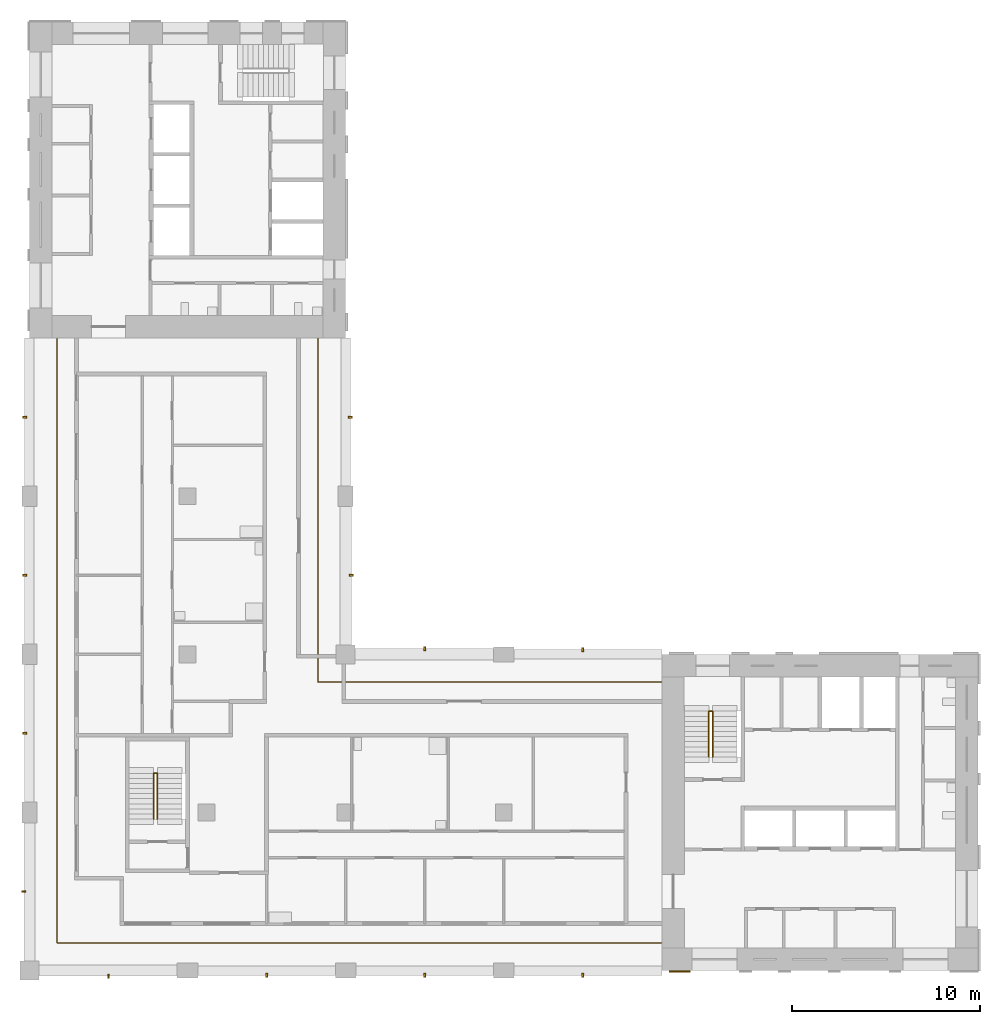
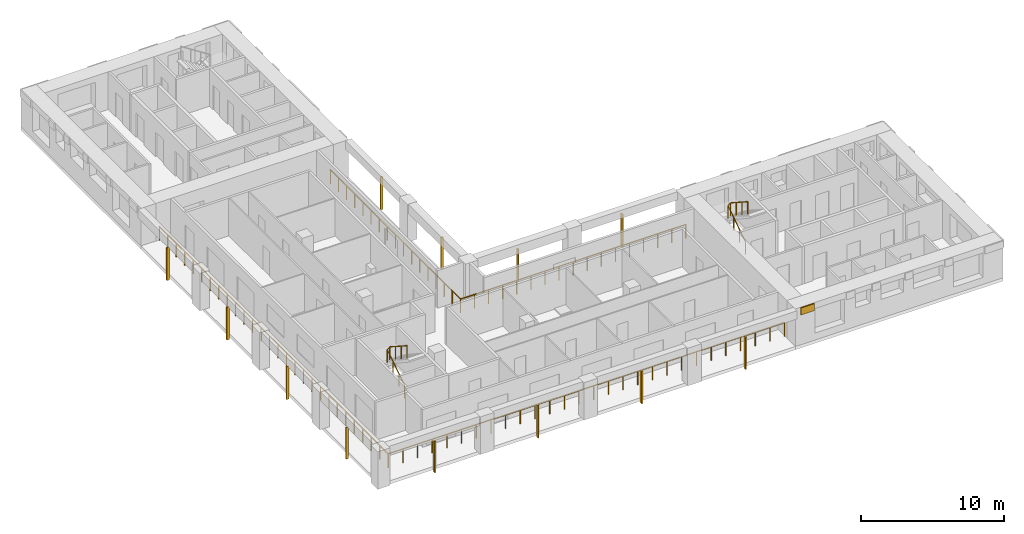
# One storey, part 7 of 9: 13 shading devices, 4 railings.
"""IFC4 building model written with IfcOpenShell, lengths in metres."""

from ifc_helpers import new_model, si_unit, direction, frame, origin, origin_2d, place, context, subcontext, project, spatial, rectangle, circle, extrude, material, layer, layer_set, material_profile, profile_set, type_object, element, save


model = new_model("IFC4")

# Units and contexts
model_context = context("Model", 3, precision=1e-05, world=origin(), true_north=direction((0.0, 1.0)))
body_context = subcontext(model_context, "Body", "Model", "MODEL_VIEW")
ifc_project = project(units=[si_unit("LENGTHUNIT", "METRE"), si_unit("AREAUNIT", "SQUARE_METRE"), si_unit("VOLUMEUNIT", "CUBIC_METRE"), si_unit("PLANEANGLEUNIT", "RADIAN"), si_unit("MASSUNIT", "GRAM", prefix="KILO")], contexts=[model_context])

# Site, building, storey
site_placement = place(None, origin())
site = spatial("IfcSite", under=ifc_project, at=site_placement, CompositionType="ELEMENT")
building_placement = place(site_placement, origin())
building = spatial("IfcBuilding", under=site, at=building_placement, Name="Vermilion Gate Residences", CompositionType="ELEMENT")
storey_placement = place(building_placement, frame((0.0, 0.0, 231.699951171875)))
storey = spatial("IfcBuildingStorey", under=building, at=storey_placement, Name="L60", CompositionType="ELEMENT", Elevation=231.699951171875)

# Railings
ifc_material_1 = material(Name="Stainless steel and toughened glass", Category="steel")
railing_type_1 = type_object("IfcRailingType", Name="LOGGIA GUARD STEEL AND GLASS 1200", PredefinedType="GUARDRAIL", material=ifc_material_1)
railing_1_placement = place(storey_placement, frame((41.97802734375, 23.72509765625, 0.0)))
element("IfcRailing", 1, at=railing_1_placement, inside=storey, type_object=railing_type_1, Name="Loggia guard", PredefinedType="GUARDRAIL", context=body_context, shape_type="SweptSolid", body=[
    extrude(circle(Radius=0.030029296875, at=origin_2d()), frame((0.0, 0.0, 1.169921875), z_axis=(-1.0, 0.0, 0.0), x_axis=(0.0, -1.0, 0.0)), (0.0, 0.0, 1.0), 18.2529296875),
    extrude(circle(Radius=0.030029296875, at=origin_2d()), frame((-18.2529296875, 0.0, 1.169921875), z_axis=(0.0, 1.0, 0.0), x_axis=(-1.0, 0.0, 0.0)), (0.0, 0.0, 1.0), 18.2529296875),
    extrude(circle(Radius=0.02490234375, at=origin_2d()), origin(), (0.0, 0.0, 1.0), 1.139892578125),
    extrude(circle(Radius=0.02490234375, at=origin_2d()), frame((-1.140869140625, 0.0, 0.0)), (0.0, 0.0, 1.0), 1.139892578125),
    extrude(circle(Radius=0.02490234375, at=origin_2d()), frame((-2.28173828125, 0.0, 0.0)), (0.0, 0.0, 1.0), 1.139892578125),
    extrude(circle(Radius=0.02490234375, at=origin_2d()), frame((-3.42236328125, 0.0, 0.0)), (0.0, 0.0, 1.0), 1.139892578125),
    extrude(circle(Radius=0.02490234375, at=origin_2d()), frame((-4.563232421875, 0.0, 0.0)), (0.0, 0.0, 1.0), 1.139892578125),
    extrude(circle(Radius=0.02490234375, at=origin_2d()), frame((-5.7041015625, 0.0, 0.0)), (0.0, 0.0, 1.0), 1.139892578125),
    extrude(circle(Radius=0.02490234375, at=origin_2d()), frame((-6.8447265625, 0.0, 0.0)), (0.0, 0.0, 1.0), 1.139892578125),
    extrude(circle(Radius=0.02490234375, at=origin_2d()), frame((-7.985595703125, 0.0, 0.0)), (0.0, 0.0, 1.0), 1.139892578125),
    extrude(circle(Radius=0.02490234375, at=origin_2d()), frame((-9.12646484375, 0.0, 0.0)), (0.0, 0.0, 1.0), 1.139892578125),
    extrude(circle(Radius=0.02490234375, at=origin_2d()), frame((-10.267333984375, 0.0, 0.0)), (0.0, 0.0, 1.0), 1.139892578125),
    extrude(circle(Radius=0.02490234375, at=origin_2d()), frame((-11.408203125, 0.0, 0.0)), (0.0, 0.0, 1.0), 1.139892578125),
    extrude(circle(Radius=0.02490234375, at=origin_2d()), frame((-12.548828125, 0.0, 0.0)), (0.0, 0.0, 1.0), 1.139892578125),
    extrude(circle(Radius=0.02490234375, at=origin_2d()), frame((-13.689697265625, 0.0, 0.0)), (0.0, 0.0, 1.0), 1.139892578125),
    extrude(circle(Radius=0.02490234375, at=origin_2d()), frame((-14.83056640625, 0.0, 0.0)), (0.0, 0.0, 1.0), 1.139892578125),
    extrude(circle(Radius=0.02490234375, at=origin_2d()), frame((-15.97119140625, 0.0, 0.0)), (0.0, 0.0, 1.0), 1.139892578125),
    extrude(circle(Radius=0.02490234375, at=origin_2d()), frame((-17.112060546875, 0.0, 0.0)), (0.0, 0.0, 1.0), 1.139892578125),
    extrude(circle(Radius=0.02490234375, at=origin_2d()), frame((-18.2529296875, 0.0, 0.0)), (0.0, 0.0, 1.0), 1.139892578125),
    extrude(circle(Radius=0.02490234375, at=origin_2d()), frame((-18.2529296875, 1.140869140625, 0.0)), (0.0, 0.0, 1.0), 1.139892578125),
    extrude(circle(Radius=0.02490234375, at=origin_2d()), frame((-18.2529296875, 2.28173828125, 0.0)), (0.0, 0.0, 1.0), 1.139892578125),
    extrude(circle(Radius=0.02490234375, at=origin_2d()), frame((-18.2529296875, 3.42236328125, 0.0)), (0.0, 0.0, 1.0), 1.139892578125),
    extrude(circle(Radius=0.02490234375, at=origin_2d()), frame((-18.2529296875, 4.563232421875, 0.0)), (0.0, 0.0, 1.0), 1.139892578125),
    extrude(circle(Radius=0.02490234375, at=origin_2d()), frame((-18.2529296875, 5.7041015625, 0.0)), (0.0, 0.0, 1.0), 1.139892578125),
    extrude(circle(Radius=0.02490234375, at=origin_2d()), frame((-18.2529296875, 6.8447265625, 0.0)), (0.0, 0.0, 1.0), 1.139892578125),
    extrude(circle(Radius=0.02490234375, at=origin_2d()), frame((-18.2529296875, 7.985595703125, 0.0)), (0.0, 0.0, 1.0), 1.139892578125),
    extrude(circle(Radius=0.02490234375, at=origin_2d()), frame((-18.2529296875, 9.12646484375, 0.0)), (0.0, 0.0, 1.0), 1.139892578125),
    extrude(circle(Radius=0.02490234375, at=origin_2d()), frame((-18.2529296875, 10.267333984375, 0.0)), (0.0, 0.0, 1.0), 1.139892578125),
    extrude(circle(Radius=0.02490234375, at=origin_2d()), frame((-18.2529296875, 11.408203125, 0.0)), (0.0, 0.0, 1.0), 1.139892578125),
    extrude(circle(Radius=0.02490234375, at=origin_2d()), frame((-18.2529296875, 12.548828125, 0.0)), (0.0, 0.0, 1.0), 1.139892578125),
    extrude(circle(Radius=0.02490234375, at=origin_2d()), frame((-18.2529296875, 13.689697265625, 0.0)), (0.0, 0.0, 1.0), 1.139892578125),
    extrude(circle(Radius=0.02490234375, at=origin_2d()), frame((-18.2529296875, 14.83056640625, 0.0)), (0.0, 0.0, 1.0), 1.139892578125),
    extrude(circle(Radius=0.02490234375, at=origin_2d()), frame((-18.2529296875, 15.97119140625, 0.0)), (0.0, 0.0, 1.0), 1.139892578125),
    extrude(circle(Radius=0.02490234375, at=origin_2d()), frame((-18.2529296875, 17.112060546875, 0.0)), (0.0, 0.0, 1.0), 1.139892578125),
    extrude(circle(Radius=0.02490234375, at=origin_2d()), frame((-18.2529296875, 18.2529296875, 0.0)), (0.0, 0.0, 1.0), 1.139892578125),
])
railing_2_placement = place(storey_placement, frame((9.875, 41.97802734375, 0.0)))
element("IfcRailing", 2, at=railing_2_placement, inside=storey, type_object=railing_type_1, Name="Loggia guard", PredefinedType="GUARDRAIL", context=body_context, shape_type="SweptSolid", body=[
    extrude(circle(Radius=0.030029296875, at=origin_2d()), frame((0.0, 0.0, 1.169921875), z_axis=(0.0, -1.0, 0.0), x_axis=(1.0, 0.0, 0.0)), (0.0, 0.0, 1.0), 32.10302734375),
    extrude(circle(Radius=0.030029296875, at=origin_2d()), frame((0.0, -32.10302734375, 1.169921875), z_axis=(1.0, 0.0, 0.0), x_axis=(0.0, 1.0, 0.0)), (0.0, 0.0, 1.0), 32.10302734375),
    extrude(circle(Radius=0.02490234375, at=origin_2d()), origin(), (0.0, 0.0, 1.0), 1.139892578125),
    extrude(circle(Radius=0.02490234375, at=origin_2d()), frame((0.0, -1.18896484375, 0.0)), (0.0, 0.0, 1.0), 1.139892578125),
    extrude(circle(Radius=0.02490234375, at=origin_2d()), frame((0.0, -2.3779296875, 0.0)), (0.0, 0.0, 1.0), 1.139892578125),
    extrude(circle(Radius=0.02490234375, at=origin_2d()), frame((0.0, -3.56689453125, 0.0)), (0.0, 0.0, 1.0), 1.139892578125),
    extrude(circle(Radius=0.02490234375, at=origin_2d()), frame((0.0, -4.756103515625, 0.0)), (0.0, 0.0, 1.0), 1.139892578125),
    extrude(circle(Radius=0.02490234375, at=origin_2d()), frame((0.0, -5.945068359375, 0.0)), (0.0, 0.0, 1.0), 1.139892578125),
    extrude(circle(Radius=0.02490234375, at=origin_2d()), frame((0.0, -7.134033203125, 0.0)), (0.0, 0.0, 1.0), 1.139892578125),
    extrude(circle(Radius=0.02490234375, at=origin_2d()), frame((0.0, -8.322998046875, 0.0)), (0.0, 0.0, 1.0), 1.139892578125),
    extrude(circle(Radius=0.02490234375, at=origin_2d()), frame((0.0, -9.511962890625, 0.0)), (0.0, 0.0, 1.0), 1.139892578125),
    extrude(circle(Radius=0.02490234375, at=origin_2d()), frame((0.0, -10.700927734375, 0.0)), (0.0, 0.0, 1.0), 1.139892578125),
    extrude(circle(Radius=0.02490234375, at=origin_2d()), frame((0.0, -11.889892578125, 0.0)), (0.0, 0.0, 1.0), 1.139892578125),
    extrude(circle(Radius=0.02490234375, at=origin_2d()), frame((0.0, -13.0791015625, 0.0)), (0.0, 0.0, 1.0), 1.139892578125),
    extrude(circle(Radius=0.02490234375, at=origin_2d()), frame((0.0, -14.26806640625, 0.0)), (0.0, 0.0, 1.0), 1.139892578125),
    extrude(circle(Radius=0.02490234375, at=origin_2d()), frame((0.0, -15.45703125, 0.0)), (0.0, 0.0, 1.0), 1.139892578125),
    extrude(circle(Radius=0.02490234375, at=origin_2d()), frame((0.0, -16.64599609375, 0.0)), (0.0, 0.0, 1.0), 1.139892578125),
    extrude(circle(Radius=0.02490234375, at=origin_2d()), frame((0.0, -17.8349609375, 0.0)), (0.0, 0.0, 1.0), 1.139892578125),
    extrude(circle(Radius=0.02490234375, at=origin_2d()), frame((0.0, -19.02392578125, 0.0)), (0.0, 0.0, 1.0), 1.139892578125),
    extrude(circle(Radius=0.02490234375, at=origin_2d()), frame((0.0, -20.213134765625, 0.0)), (0.0, 0.0, 1.0), 1.139892578125),
    extrude(circle(Radius=0.02490234375, at=origin_2d()), frame((0.0, -21.402099609375, 0.0)), (0.0, 0.0, 1.0), 1.139892578125),
    extrude(circle(Radius=0.02490234375, at=origin_2d()), frame((0.0, -22.591064453125, 0.0)), (0.0, 0.0, 1.0), 1.139892578125),
    extrude(circle(Radius=0.02490234375, at=origin_2d()), frame((0.0, -23.780029296875, 0.0)), (0.0, 0.0, 1.0), 1.139892578125),
    extrude(circle(Radius=0.02490234375, at=origin_2d()), frame((0.0, -24.968994140625, 0.0)), (0.0, 0.0, 1.0), 1.139892578125),
    extrude(circle(Radius=0.02490234375, at=origin_2d()), frame((0.0, -26.157958984375, 0.0)), (0.0, 0.0, 1.0), 1.139892578125),
    extrude(circle(Radius=0.02490234375, at=origin_2d()), frame((0.0, -27.346923828125, 0.0)), (0.0, 0.0, 1.0), 1.139892578125),
    extrude(circle(Radius=0.02490234375, at=origin_2d()), frame((0.0, -28.5361328125, 0.0)), (0.0, 0.0, 1.0), 1.139892578125),
    extrude(circle(Radius=0.02490234375, at=origin_2d()), frame((0.0, -29.72509765625, 0.0)), (0.0, 0.0, 1.0), 1.139892578125),
    extrude(circle(Radius=0.02490234375, at=origin_2d()), frame((0.0, -30.9140625, 0.0)), (0.0, 0.0, 1.0), 1.139892578125),
    extrude(circle(Radius=0.02490234375, at=origin_2d()), frame((0.0, -32.10302734375, 0.0)), (0.0, 0.0, 1.0), 1.139892578125),
    extrude(circle(Radius=0.02490234375, at=origin_2d()), frame((1.18896484375, -32.10302734375, 0.0)), (0.0, 0.0, 1.0), 1.139892578125),
    extrude(circle(Radius=0.02490234375, at=origin_2d()), frame((2.3779296875, -32.10302734375, 0.0)), (0.0, 0.0, 1.0), 1.139892578125),
    extrude(circle(Radius=0.02490234375, at=origin_2d()), frame((3.56689453125, -32.10302734375, 0.0)), (0.0, 0.0, 1.0), 1.139892578125),
    extrude(circle(Radius=0.02490234375, at=origin_2d()), frame((4.756103515625, -32.10302734375, 0.0)), (0.0, 0.0, 1.0), 1.139892578125),
    extrude(circle(Radius=0.02490234375, at=origin_2d()), frame((5.945068359375, -32.10302734375, 0.0)), (0.0, 0.0, 1.0), 1.139892578125),
    extrude(circle(Radius=0.02490234375, at=origin_2d()), frame((7.134033203125, -32.10302734375, 0.0)), (0.0, 0.0, 1.0), 1.139892578125),
    extrude(circle(Radius=0.02490234375, at=origin_2d()), frame((8.322998046875, -32.10302734375, 0.0)), (0.0, 0.0, 1.0), 1.139892578125),
    extrude(circle(Radius=0.02490234375, at=origin_2d()), frame((9.511962890625, -32.10302734375, 0.0)), (0.0, 0.0, 1.0), 1.139892578125),
    extrude(circle(Radius=0.02490234375, at=origin_2d()), frame((10.700927734375, -32.10302734375, 0.0)), (0.0, 0.0, 1.0), 1.139892578125),
    extrude(circle(Radius=0.02490234375, at=origin_2d()), frame((11.889892578125, -32.10302734375, 0.0)), (0.0, 0.0, 1.0), 1.139892578125),
    extrude(circle(Radius=0.02490234375, at=origin_2d()), frame((13.0791015625, -32.10302734375, 0.0)), (0.0, 0.0, 1.0), 1.139892578125),
    extrude(circle(Radius=0.02490234375, at=origin_2d()), frame((14.26806640625, -32.10302734375, 0.0)), (0.0, 0.0, 1.0), 1.139892578125),
    extrude(circle(Radius=0.02490234375, at=origin_2d()), frame((15.45703125, -32.10302734375, 0.0)), (0.0, 0.0, 1.0), 1.139892578125),
    extrude(circle(Radius=0.02490234375, at=origin_2d()), frame((16.64599609375, -32.10302734375, 0.0)), (0.0, 0.0, 1.0), 1.139892578125),
    extrude(circle(Radius=0.02490234375, at=origin_2d()), frame((17.8349609375, -32.10302734375, 0.0)), (0.0, 0.0, 1.0), 1.139892578125),
    extrude(circle(Radius=0.02490234375, at=origin_2d()), frame((19.02392578125, -32.10302734375, 0.0)), (0.0, 0.0, 1.0), 1.139892578125),
    extrude(circle(Radius=0.02490234375, at=origin_2d()), frame((20.213134765625, -32.10302734375, 0.0)), (0.0, 0.0, 1.0), 1.139892578125),
    extrude(circle(Radius=0.02490234375, at=origin_2d()), frame((21.402099609375, -32.10302734375, 0.0)), (0.0, 0.0, 1.0), 1.139892578125),
    extrude(circle(Radius=0.02490234375, at=origin_2d()), frame((22.591064453125, -32.10302734375, 0.0)), (0.0, 0.0, 1.0), 1.139892578125),
    extrude(circle(Radius=0.02490234375, at=origin_2d()), frame((23.780029296875, -32.10302734375, 0.0)), (0.0, 0.0, 1.0), 1.139892578125),
    extrude(circle(Radius=0.02490234375, at=origin_2d()), frame((24.968994140625, -32.10302734375, 0.0)), (0.0, 0.0, 1.0), 1.139892578125),
    extrude(circle(Radius=0.02490234375, at=origin_2d()), frame((26.157958984375, -32.10302734375, 0.0)), (0.0, 0.0, 1.0), 1.139892578125),
    extrude(circle(Radius=0.02490234375, at=origin_2d()), frame((27.346923828125, -32.10302734375, 0.0)), (0.0, 0.0, 1.0), 1.139892578125),
    extrude(circle(Radius=0.02490234375, at=origin_2d()), frame((28.5361328125, -32.10302734375, 0.0)), (0.0, 0.0, 1.0), 1.139892578125),
    extrude(circle(Radius=0.02490234375, at=origin_2d()), frame((29.72509765625, -32.10302734375, 0.0)), (0.0, 0.0, 1.0), 1.139892578125),
    extrude(circle(Radius=0.02490234375, at=origin_2d()), frame((30.9140625, -32.10302734375, 0.0)), (0.0, 0.0, 1.0), 1.139892578125),
    extrude(circle(Radius=0.02490234375, at=origin_2d()), frame((32.10302734375, -32.10302734375, 0.0)), (0.0, 0.0, 1.0), 1.139892578125),
])
ifc_material_2 = material(Name="Steel S355", Category="steel")
railing_type_2 = type_object("IfcRailingType", Name="STAIR GUARD 1100 STEEL", PredefinedType="GUARDRAIL", material=ifc_material_2)
for number, where, name in (
    (3, (44.5, 19.75, 0.175048828125), "Stair well guard STA1-60"),
    (4, (15.0, 16.449951171875, 0.175048828125), "Stair well guard STC1-60"),
):
    element("IfcRailing", number, at=place(storey_placement, frame(where)), inside=storey, type_object=railing_type_2, Name=name, PredefinedType="GUARDRAIL", context=body_context, shape_type="SweptSolid", body=[
        extrude(circle(Radius=0.02392578125, at=origin_2d()), frame((0.0, 0.0, 1.076171875), z_axis=(0.0, 0.839153699163, 0.543894354798), x_axis=(-1.0, 0.0, 0.0)), (0.0, 0.0, 1.0), 2.895751953125),
        extrude(circle(Radius=0.02392578125, at=origin_2d()), frame((0.0, 2.429931640625, 2.65087890625), z_axis=(0.752405939678, 0.0, 0.658699705433), x_axis=(0.0, 1.0, 0.0)), (0.0, 0.0, 1.0), 0.265869140625),
        extrude(circle(Radius=0.02392578125, at=origin_2d()), frame((0.199951171875, 2.429931640625, 2.826171875), z_axis=(0.0, -0.839153699163, 0.543894354798), x_axis=(1.0, 0.0, 0.0)), (0.0, 0.0, 1.0), 2.895751953125),
        extrude(circle(Radius=0.02099609375, at=origin_2d()), origin(), (0.0, 0.0, 1.0), 1.052001953125),
        extrude(circle(Radius=0.02099609375, at=origin_2d()), frame((0.0, 0.81005859375, 0.52490234375)), (0.0, 0.0, 1.0), 1.052001953125),
        extrude(circle(Radius=0.02099609375, at=origin_2d()), frame((0.0, 1.619873046875, 1.050048828125)), (0.0, 0.0, 1.0), 1.052001953125),
        extrude(circle(Radius=0.02099609375, at=origin_2d()), frame((0.0, 2.429931640625, 1.574951171875)), (0.0, 0.0, 1.0), 1.052001953125),
        extrude(circle(Radius=0.02099609375, at=origin_2d()), frame((0.199951171875, 2.429931640625, 1.75)), (0.0, 0.0, 1.0), 1.052001953125),
        extrude(circle(Radius=0.02099609375, at=origin_2d()), frame((0.199951171875, 1.619873046875, 2.27490234375)), (0.0, 0.0, 1.0), 1.052001953125),
        extrude(circle(Radius=0.02099609375, at=origin_2d()), frame((0.199951171875, 0.81005859375, 2.800048828125)), (0.0, 0.0, 1.0), 1.052001953125),
        extrude(circle(Radius=0.02099609375, at=origin_2d()), frame((0.199951171875, 0.0, 3.324951171875)), (0.0, 0.0, 1.0), 1.052001953125),
    ])

# Shading devices
ifc_material_3 = material(Name="Extruded terracotta", Category="masonry")
ifc_material_profile = material_profile(ifc_material_3, rectangle(XDim=0.199951171875, YDim=0.10009765625, at=origin_2d()), Name="BAGUETTE 100 X 200")
ifc_profile_set = profile_set([ifc_material_profile], Name="Extruded terracotta")
shading_device_type_1 = type_object("IfcShadingDeviceType", Name="TERRACOTTA BAGUETTE 100 X 200", PredefinedType="JALOUSIE", material=ifc_profile_set)
shading_device_1_placement = place(storey_placement, frame((12.60009765625, 8.10009765625, -0.280029296875), z_axis=(0.0, 0.0, 1.0), x_axis=(0.0, 1.0, 0.0)))
element("IfcShadingDevice", 5, at=shading_device_1_placement, inside=storey, type_object=shading_device_type_1, Name="BAGUETTE", PredefinedType="JALOUSIE", context=body_context, shape_type="SweptSolid", body=[
    extrude(rectangle(XDim=0.199951171875, YDim=0.10009765625, at=origin_2d()), origin(), (0.0, 0.0, 1.0), 2.7001953125),
])
for number, where, z_axis, x_axis, name in (
    (6, (21.0, 8.14990234375, -0.280029296875), (0.0, 0.0, 1.0), (0.0, 1.0, 0.0), "BAGUETTE"),
    (7, (29.39990234375, 8.14990234375, -0.280029296875), (0.0, 0.0, 1.0), (0.0, 1.0, 0.0), "BAGUETTE"),
    (8, (37.800048828125, 8.14990234375, -0.280029296875), (0.0, 0.0, 1.0), (0.0, 1.0, 0.0), "BAGUETTE"),
):
    element("IfcShadingDevice", number, at=place(storey_placement, frame(where, z_axis=z_axis, x_axis=x_axis)), inside=storey, type_object=shading_device_type_1, Name=name, PredefinedType="JALOUSIE", context=body_context, shape_type="SweptSolid", body=[
        extrude(rectangle(XDim=0.199951171875, YDim=0.10009765625, at=origin_2d()), origin(), (0.0, 0.0, 1.0), 2.800048828125),
    ])
shading_device_2_placement = place(storey_placement, frame((29.39990234375, 25.5, -0.280029296875), z_axis=(0.0, 0.0, 1.0), x_axis=(0.0, -1.0, 0.0)))
element("IfcShadingDevice", 9, at=shading_device_2_placement, inside=storey, type_object=shading_device_type_1, Name="BAGUETTE", PredefinedType="JALOUSIE", context=body_context, shape_type="SweptSolid", body=[
    extrude(rectangle(XDim=0.199951171875, YDim=0.10009765625, at=origin_2d()), origin(), (0.0, 0.0, 1.0), 2.7001953125),
])
shading_device_3_placement = place(storey_placement, frame((37.800048828125, 25.449951171875, -0.280029296875), z_axis=(0.0, 0.0, 1.0), x_axis=(0.0, -1.0, 0.0)))
element("IfcShadingDevice", 10, at=shading_device_3_placement, inside=storey, type_object=shading_device_type_1, Name="BAGUETTE", PredefinedType="JALOUSIE", context=body_context, shape_type="SweptSolid", body=[
    extrude(rectangle(XDim=0.199951171875, YDim=0.10009765625, at=origin_2d()), origin(), (0.0, 0.0, 1.0), 2.800048828125),
])
shading_device_4_placement = place(storey_placement, frame((25.5, 29.39990234375, -0.280029296875), z_axis=(0.0, 0.0, 1.0), x_axis=(-1.0, 0.0, 0.0)))
element("IfcShadingDevice", 11, at=shading_device_4_placement, inside=storey, type_object=shading_device_type_1, Name="BAGUETTE", PredefinedType="JALOUSIE", context=body_context, shape_type="SweptSolid", body=[
    extrude(rectangle(XDim=0.199951171875, YDim=0.10009765625, at=origin_2d()), origin(), (0.0, 0.0, 1.0), 2.7001953125),
])
shading_device_5_placement = place(storey_placement, frame((25.449951171875, 37.800048828125, -0.280029296875), z_axis=(0.0, 0.0, 1.0), x_axis=(-1.0, 0.0, 0.0)))
element("IfcShadingDevice", 12, at=shading_device_5_placement, inside=storey, type_object=shading_device_type_1, Name="BAGUETTE", PredefinedType="JALOUSIE", context=body_context, shape_type="SweptSolid", body=[
    extrude(rectangle(XDim=0.199951171875, YDim=0.10009765625, at=origin_2d()), origin(), (0.0, 0.0, 1.0), 2.800048828125),
])
shading_device_6_placement = place(storey_placement, frame((8.10009765625, 12.60009765625, -0.280029296875), z_axis=(0.0, 0.0, 1.0), x_axis=(1.0, 0.0, 0.0)))
element("IfcShadingDevice", 13, at=shading_device_6_placement, inside=storey, type_object=shading_device_type_1, Name="BAGUETTE", PredefinedType="JALOUSIE", context=body_context, shape_type="SweptSolid", body=[
    extrude(rectangle(XDim=0.199951171875, YDim=0.10009765625, at=origin_2d()), origin(), (0.0, 0.0, 1.0), 2.7001953125),
])
for number, where, z_axis, x_axis, name in (
    (14, (8.14990234375, 21.0, -0.280029296875), (0.0, 0.0, 1.0), (1.0, 0.0, 0.0), "BAGUETTE"),
    (15, (8.14990234375, 29.39990234375, -0.280029296875), (0.0, 0.0, 1.0), (1.0, 0.0, 0.0), "BAGUETTE"),
    (16, (8.14990234375, 37.800048828125, -0.280029296875), (0.0, 0.0, 1.0), (1.0, 0.0, 0.0), "BAGUETTE"),
):
    element("IfcShadingDevice", number, at=place(storey_placement, frame(where, z_axis=z_axis, x_axis=x_axis)), inside=storey, type_object=shading_device_type_1, Name=name, PredefinedType="JALOUSIE", context=body_context, shape_type="SweptSolid", body=[
        extrude(rectangle(XDim=0.199951171875, YDim=0.10009765625, at=origin_2d()), origin(), (0.0, 0.0, 1.0), 2.800048828125),
    ])
ifc_material_4 = material(Name="Extruded terracotta", Category="masonry")
ifc_layer = layer(ifc_material_4, 0.10009765625)
ifc_layer_set = layer_set([ifc_layer], Name="TERRACOTTA SPANDREL BAND 600 X 100")
shading_device_type_2 = type_object("IfcShadingDeviceType", Name="TERRACOTTA SPANDREL BAND 600 X 100", PredefinedType="USERDEFINED", material=ifc_layer_set)
shading_device_7_placement = place(storey_placement, frame((42.949951171875, 8.35009765625, 2.6201171875), z_axis=(0.0, 0.0, 1.0), x_axis=(1.0, 0.0, 0.0)))
element("IfcShadingDevice", 17, at=shading_device_7_placement, inside=storey, type_object=shading_device_type_2, Name="SPANDREL BAND", ObjectType="BAND", PredefinedType="USERDEFINED", context=body_context, shape_type="SweptSolid", body=[
    extrude(rectangle(XDim=1.10009765625, YDim=0.10009765625, at=origin_2d()), origin(), (0.0, 0.0, 1.0), 0.60009765625),
])

save(model, "model.ifc")
